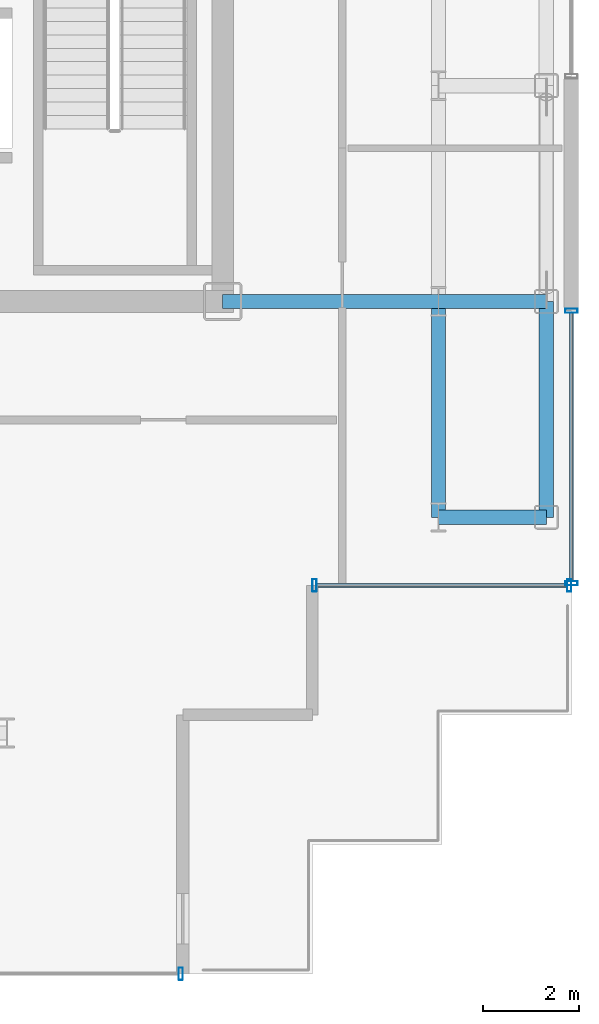
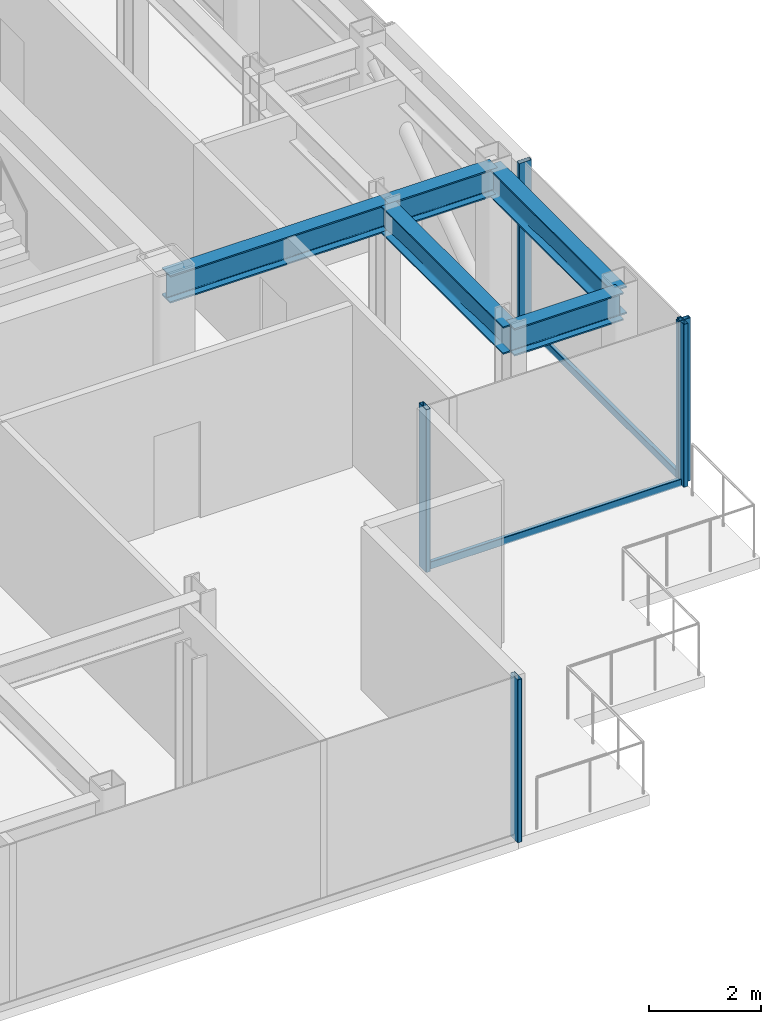
# One storey, part 5 of 18: 7 members, 5 beams, 3 elements without a shape of their own.
"""IFC4 building model written with IfcOpenShell, lengths in metres."""

from ifc_helpers import new_model, si_unit, direction, frame, origin, origin_2d, place, context, subcontext, project, spatial, hollow_rectangle, i_section, extrude, source, transform, mapped, material, layer, layer_set, material_profile, profile_set, type_object, element, aggregate, save


model = new_model("IFC4")

# Units and contexts
model_context = context("Model", 3, precision=1e-05, world=origin(), true_north=direction((0.0, 1.0)))
body_context = subcontext(model_context, "Body", "Model", "MODEL_VIEW")
ifc_project = project(units=[si_unit("LENGTHUNIT", "METRE"), si_unit("AREAUNIT", "SQUARE_METRE"), si_unit("VOLUMEUNIT", "CUBIC_METRE"), si_unit("PLANEANGLEUNIT", "RADIAN"), si_unit("MASSUNIT", "GRAM", prefix="KILO")], contexts=[model_context])

# Site, building, storey
site_placement = place(None, origin())
site = spatial("IfcSite", under=ifc_project, at=site_placement, CompositionType="ELEMENT")
building_placement = place(site_placement, origin())
building = spatial("IfcBuilding", under=site, at=building_placement, Name="Nefas-Gora Pilgrimage Tower", CompositionType="ELEMENT")
storey_placement = place(building_placement, frame((0.0, 0.0, 298.800048828125)))
storey = spatial("IfcBuildingStorey", under=building, at=storey_placement, Name="L75", CompositionType="ELEMENT", Elevation=298.800048828125)

# Beams
ifc_material_1 = material(Name="Steel S355", Category="steel")
ifc_material_profile_1 = material_profile(ifc_material_1, i_section(OverallWidth=0.300048828125, OverallDepth=0.60009765625, WebThickness=0.015380859375, FlangeThickness=0.030029296875, FilletRadius=0.027099609375, at=origin_2d()), Name="HEB 600")
ifc_profile_set_1 = profile_set([ifc_material_profile_1], Name="Steel S355")
beam_type_1 = type_object("IfcBeamType", Name="BM-SPN-HEB450", PredefinedType="SPANDREL", material=ifc_profile_set_1)
shared_shape_1 = source(origin(), body_context, "Body", "SweptSolid", [
    extrude(i_section(OverallWidth=0.300048828125, OverallDepth=0.60009765625, WebThickness=0.015380859375, FlangeThickness=0.030029296875, FilletRadius=0.027099609375, at=origin_2d()), origin(), (0.0, 0.0, 1.0), 4.5),
])
beam_placement = place(storey_placement, frame((18.0, -13.5, 3.25), z_axis=(0.0, 1.0, 0.0), x_axis=(-1.0, 0.0, 0.0)))
element("IfcBeam", 1, at=beam_placement, inside=storey, type_object=beam_type_1, Name="L75 SP-03 beam", PredefinedType="SPANDREL", context=body_context, shape_type="MappedRepresentation", body=[
    mapped(shared_shape_1, transform((0.0, 0.0, 0.0), x_axis=(1.0, 0.0, 0.0), y_axis=(0.0, 1.0, 0.0), z_axis=(0.0, 0.0, 1.0), scale=1.0)),
])
ifc_material_profile_2 = material_profile(ifc_material_1, i_section(OverallWidth=0.300048828125, OverallDepth=0.60009765625, WebThickness=0.015380859375, FlangeThickness=0.030029296875, FilletRadius=0.027099609375, at=origin_2d()), Name="HEB 600")
ifc_profile_set_2 = profile_set([ifc_material_profile_2], Name="Steel S355")
beam_type_2 = type_object("IfcBeamType", Name="BM-GIR-HEB600", PredefinedType="BEAM", material=ifc_profile_set_2)
shared_shape_2 = source(origin(), body_context, "Body", "SweptSolid", [
    extrude(i_section(OverallWidth=0.300048828125, OverallDepth=0.60009765625, WebThickness=0.015380859375, FlangeThickness=0.030029296875, FilletRadius=0.027099609375, at=origin_2d()), origin(), (0.0, 0.0, 1.0), 4.5),
])
for number, where, z_axis, x_axis, name in (
    (2, (11.25, -9.0, 3.25), (1.0, 0.0, 0.0), (0.0, 1.0, 0.0), "L75 G-04 beam"),
    (3, (15.75, -13.5, 3.25), (0.0, 1.0, 0.0), (-1.0, 0.0, 0.0), "L75 G-04 beam"),
):
    element("IfcBeam", number, at=place(storey_placement, frame(where, z_axis=z_axis, x_axis=x_axis)), inside=storey, type_object=beam_type_2, Name=name, PredefinedType="BEAM", context=body_context, shape_type="MappedRepresentation", body=[
        mapped(shared_shape_2, transform((0.0, 0.0, 0.0), x_axis=(1.0, 0.0, 0.0), y_axis=(0.0, 1.0, 0.0), z_axis=(0.0, 0.0, 1.0), scale=1.0)),
    ])
shared_shape_3 = source(origin(), body_context, "Body", "SweptSolid", [
    extrude(i_section(OverallWidth=0.300048828125, OverallDepth=0.60009765625, WebThickness=0.015380859375, FlangeThickness=0.030029296875, FilletRadius=0.027099609375, at=origin_2d()), origin(), (0.0, 0.0, 1.0), 2.25),
])
for number, where, z_axis, x_axis, name in (
    (4, (15.75, -13.5, 3.25), (1.0, 0.0, 0.0), (0.0, 1.0, 0.0), "L75 G-04 beam"),
    (5, (15.75, -9.0, 3.25), (1.0, 0.0, 0.0), (0.0, 1.0, 0.0), "L75 G-04 beam"),
):
    element("IfcBeam", number, at=place(storey_placement, frame(where, z_axis=z_axis, x_axis=x_axis)), inside=storey, type_object=beam_type_2, Name=name, PredefinedType="BEAM", context=body_context, shape_type="MappedRepresentation", body=[
        mapped(shared_shape_3, transform((0.0, 0.0, 0.0), x_axis=(1.0, 0.0, 0.0), y_axis=(0.0, 1.0, 0.0), z_axis=(0.0, 0.0, 1.0), scale=1.0)),
    ])

# Curtain wall, member
ifc_material_2 = material(Name="Dark ceramic-fritted solar-control aluminium-glass curtain wall", Category="aluminium")
ifc_layer = layer(ifc_material_2, 0.219970703125)
ifc_layer_set = layer_set([ifc_layer], Name="Dark ceramic-fritted solar-control aluminium-glass curtain wall")
curtain_wall_type = type_object("IfcCurtainWallType", Name="CW-SYS-4", PredefinedType="NOTDEFINED", material=ifc_layer_set)
curtain_wall_1_placement = place(storey_placement, origin())
curtain_wall_1 = element("IfcCurtainWall", 6, at=curtain_wall_1_placement, inside=storey, type_object=curtain_wall_type, Name="L75 Unitised Curtain Wall CW4", PredefinedType="NOTDEFINED")
ifc_material_3 = material(Name="Anodised architectural aluminium", Category="aluminium")
ifc_material_profile_3 = material_profile(ifc_material_3, hollow_rectangle(XDim=0.090087890625, YDim=0.260009765625, WallThickness=0.006103515625, InnerFilletRadius=0.006103515625, OuterFilletRadius=0.011962890625, at=origin_2d()), Name="ALU MULLION 90x260")
ifc_profile_set_3 = profile_set([ifc_material_profile_3], Name="Anodised architectural aluminium")
member_type_1 = type_object("IfcMemberType", Name="CWM-MUL-4", PredefinedType="MULLION", material=ifc_profile_set_3)
shared_shape_4 = source(origin(), body_context, "Body", "SweptSolid", [
    extrude(hollow_rectangle(XDim=0.090087890625, YDim=0.260009765625, WallThickness=0.006103515625, InnerFilletRadius=0.006103515625, OuterFilletRadius=0.011962890625, at=origin_2d()), origin(), (0.0, 0.0, 1.0), 3.550048828125),
])
member_1_placement = place(storey_placement, frame((10.375, -23.02001953125, 0.0), z_axis=(0.0, 0.0, 1.0), x_axis=(1.0, 0.0, 0.0)))
member_1 = element("IfcMember", 7, at=member_1_placement, type_object=member_type_1, Name="CW4 Mullion 2", PredefinedType="MULLION", context=body_context, shape_type="MappedRepresentation", body=[
    mapped(shared_shape_4, transform((0.0, 0.0, 0.0), x_axis=(1.0, 0.0, 0.0), y_axis=(0.0, 1.0, 0.0), z_axis=(0.0, 0.0, 1.0), scale=1.0)),
])
aggregate(curtain_wall_1, [member_1])

# Curtain wall, members
curtain_wall_2_placement = place(storey_placement, origin())
curtain_wall_2 = element("IfcCurtainWall", 8, at=curtain_wall_2_placement, inside=storey, type_object=curtain_wall_type, Name="L75 Unitised Curtain Wall CW4", PredefinedType="NOTDEFINED")
member_2_placement = place(storey_placement, frame((13.1650390625, -14.919921875, 0.0), z_axis=(0.0, 0.0, 1.0), x_axis=(1.0, 0.0, 0.0)))
member_2 = element("IfcMember", 9, at=member_2_placement, type_object=member_type_1, Name="CW4 Mullion 1", PredefinedType="MULLION", context=body_context, shape_type="MappedRepresentation", body=[
    mapped(shared_shape_4, transform((0.0, 0.0, 0.0), x_axis=(1.0, 0.0, 0.0), y_axis=(0.0, 1.0, 0.0), z_axis=(0.0, 0.0, 1.0), scale=1.0)),
])
member_3_placement = place(storey_placement, frame((18.47509765625, -14.919921875, 0.0), z_axis=(0.0, 0.0, 1.0), x_axis=(1.0, 0.0, 0.0)))
member_3 = element("IfcMember", 10, at=member_3_placement, type_object=member_type_1, Name="CW4 Mullion 2", PredefinedType="MULLION", context=body_context, shape_type="MappedRepresentation", body=[
    mapped(shared_shape_4, transform((0.0, 0.0, 0.0), x_axis=(1.0, 0.0, 0.0), y_axis=(0.0, 1.0, 0.0), z_axis=(0.0, 0.0, 1.0), scale=1.0)),
])

curtain_wall_3_placement = place(storey_placement, origin())
curtain_wall_3 = element("IfcCurtainWall", 11, at=curtain_wall_3_placement, inside=storey, type_object=curtain_wall_type, Name="L75 Unitised Curtain Wall CW4", PredefinedType="NOTDEFINED")
member_4_placement = place(storey_placement, frame((18.52001953125, -14.875, 0.0), z_axis=(0.0, 0.0, 1.0), x_axis=(0.0, 1.0, 0.0)))
member_4 = element("IfcMember", 12, at=member_4_placement, type_object=member_type_1, Name="CW4 Mullion 1", PredefinedType="MULLION", context=body_context, shape_type="MappedRepresentation", body=[
    mapped(shared_shape_4, transform((0.0, 0.0, 0.0), x_axis=(1.0, 0.0, 0.0), y_axis=(0.0, 1.0, 0.0), z_axis=(0.0, 0.0, 1.0), scale=1.0)),
])
member_5_placement = place(storey_placement, frame((18.52001953125, -9.195068359375, 0.0), z_axis=(0.0, 0.0, 1.0), x_axis=(0.0, 1.0, 0.0)))
member_5 = element("IfcMember", 13, at=member_5_placement, type_object=member_type_1, Name="CW4 Mullion 2", PredefinedType="MULLION", context=body_context, shape_type="MappedRepresentation", body=[
    mapped(shared_shape_4, transform((0.0, 0.0, 0.0), x_axis=(1.0, 0.0, 0.0), y_axis=(0.0, 1.0, 0.0), z_axis=(0.0, 0.0, 1.0), scale=1.0)),
])

# Member
ifc_material_profile_4 = material_profile(ifc_material_3, hollow_rectangle(XDim=0.080078125, YDim=0.159912109375, WallThickness=0.00439453125, InnerFilletRadius=0.00439453125, OuterFilletRadius=0.009033203125, at=origin_2d()), Name="ALU TRANSOM 80x160")
ifc_profile_set_4 = profile_set([ifc_material_profile_4], Name="Anodised architectural aluminium")
member_type_2 = type_object("IfcMemberType", Name="CWM-TRN-4", PredefinedType="USERDEFINED", material=ifc_profile_set_4)
shared_shape_5 = source(origin(), body_context, "Body", "SweptSolid", [
    extrude(hollow_rectangle(XDim=0.080078125, YDim=0.159912109375, WallThickness=0.00439453125, InnerFilletRadius=0.00439453125, OuterFilletRadius=0.009033203125, at=origin_2d()), origin(), (0.0, 0.0, 1.0), 5.219970703125),
])
member_6_placement = place(storey_placement, frame((13.2099609375, -14.919921875, 0.050048828125), z_axis=(1.0, 0.0, 0.0), x_axis=(0.0, 1.0, 0.0)))
member_6 = element("IfcMember", 14, at=member_6_placement, type_object=member_type_2, Name="CW4 Spandrel Transom", ObjectType="TRANSOM", PredefinedType="USERDEFINED", context=body_context, shape_type="MappedRepresentation", body=[
    mapped(shared_shape_5, transform((0.0, 0.0, 0.0), x_axis=(1.0, 0.0, 0.0), y_axis=(0.0, 1.0, 0.0), z_axis=(0.0, 0.0, 1.0), scale=1.0)),
])

aggregate(curtain_wall_2, [member_2, member_3, member_6])

shared_shape_6 = source(origin(), body_context, "Body", "SweptSolid", [
    extrude(hollow_rectangle(XDim=0.080078125, YDim=0.159912109375, WallThickness=0.00439453125, InnerFilletRadius=0.00439453125, OuterFilletRadius=0.009033203125, at=origin_2d()), origin(), (0.0, 0.0, 1.0), 5.590087890625),
])
member_7_placement = place(storey_placement, frame((18.52001953125, -14.830078125, 0.050048828125), z_axis=(0.0, 1.0, 0.0), x_axis=(-1.0, 0.0, 0.0)))
member_7 = element("IfcMember", 15, at=member_7_placement, type_object=member_type_2, Name="CW4 Spandrel Transom", ObjectType="TRANSOM", PredefinedType="USERDEFINED", context=body_context, shape_type="MappedRepresentation", body=[
    mapped(shared_shape_6, transform((0.0, 0.0, 0.0), x_axis=(1.0, 0.0, 0.0), y_axis=(0.0, 1.0, 0.0), z_axis=(0.0, 0.0, 1.0), scale=1.0)),
])

aggregate(curtain_wall_3, [member_4, member_5, member_7])

save(model, "model.ifc")
